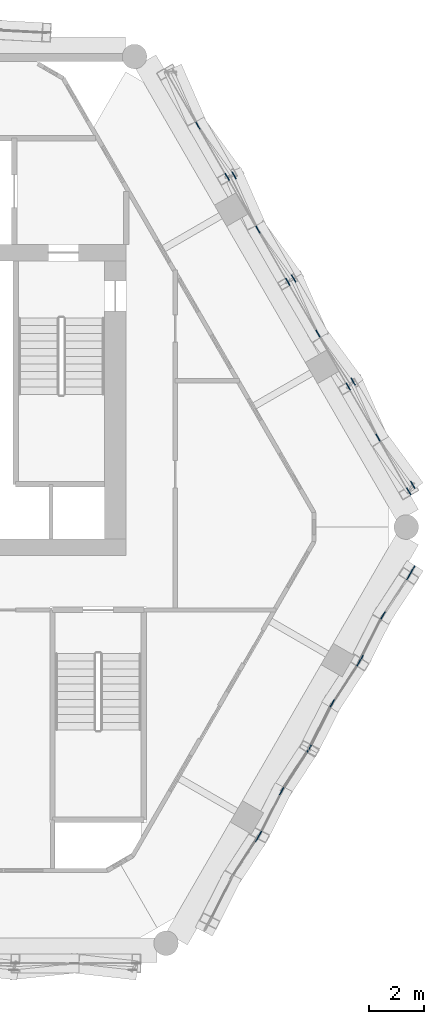
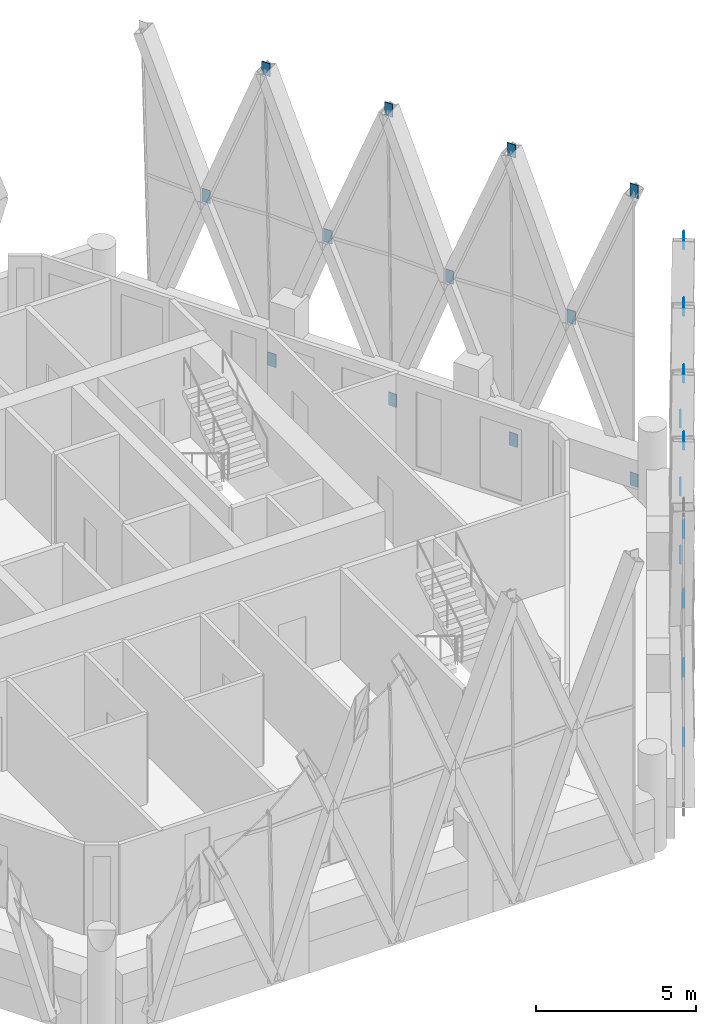
# One storey, part 20 of 22: 23 discrete accessories.
"""IFC4 building model written with IfcOpenShell, lengths in metres."""

from ifc_helpers import new_model, si_unit, direction, frame, origin, origin_2d, place, context, subcontext, project, spatial, rectangle, extrude, material, layer, layer_set, type_object, element, save


model = new_model("IFC4")

# Units and contexts
model_context = context("Model", 3, precision=1e-05, world=origin(), true_north=direction((0.0, 1.0)))
body_context = subcontext(model_context, "Body", "Model", "MODEL_VIEW")
ifc_project = project(units=[si_unit("LENGTHUNIT", "METRE"), si_unit("AREAUNIT", "SQUARE_METRE"), si_unit("VOLUMEUNIT", "CUBIC_METRE"), si_unit("PLANEANGLEUNIT", "RADIAN"), si_unit("MASSUNIT", "GRAM", prefix="KILO")], contexts=[model_context])

# Site, building, storey
site_placement = place(None, origin())
site = spatial("IfcSite", under=ifc_project, at=site_placement, CompositionType="ELEMENT")
building_placement = place(site_placement, origin())
building = spatial("IfcBuilding", under=site, at=building_placement, Name="Ostrander Bayou Hotel Tower", CompositionType="ELEMENT")
storey_placement = place(building_placement, frame((0.0, 0.0, 245.0)))
storey = spatial("IfcBuildingStorey", under=building, at=storey_placement, Name="L60", CompositionType="ELEMENT", Elevation=245.0)

# Discrete accessories
ifc_material = material(Name="Steel ASTM A572 Gr 50", Category="steel")
ifc_layer = layer(ifc_material, 0.030029296875)
ifc_layer_set = layer_set([ifc_layer], Name="GP1 gusset plate 30 mm")
discrete_accessory_type = type_object("IfcDiscreteAccessoryType", Name="GP1 gusset plate 30 mm", PredefinedType="BRACKET", material=ifc_layer_set)
for number, where, z_axis, x_axis, name in (
    (1, (13.320068359375, -12.069091796875, -0.85009765625), (0.0, 0.0, 1.0), (0.5, 0.866025403784, 0.0), "GP1 gusset plate lat 430"),
    (2, (13.390869140625, -11.9462890625, 10.39990234375), (0.0, 0.0, 1.0), (0.5, 0.866025403784, 0.0), "GP1 gusset plate lat 431"),
    (3, (14.19970703125, -10.3466796875, 4.77490234375), (0.0, 0.0, 1.0), (0.5, 0.866025403784, 0.0), "GP1 gusset plate lat 432"),
    (4, (15.216064453125, -8.784912109375, -0.85009765625), (0.0, 0.0, 1.0), (0.5, 0.866025403784, 0.0), "GP1 gusset plate lat 433"),
    (5, (15.216064453125, -8.784912109375, 10.39990234375), (0.0, 0.0, 1.0), (0.5, 0.866025403784, 0.0), "GP1 gusset plate lat 434"),
    (6, (16.060302734375, -7.1240234375, 4.77490234375), (0.0, 0.0, 1.0), (0.5, 0.866025403784, 0.0), "GP1 gusset plate lat 435"),
    (7, (17.112060546875, -5.5009765625, -0.85009765625), (0.0, 0.0, 1.0), (0.5, 0.866025403784, 0.0), "GP1 gusset plate lat 436"),
    (8, (17.041259765625, -5.623779296875, 10.39990234375), (0.0, 0.0, 1.0), (0.5, 0.866025403784, 0.0), "GP1 gusset plate lat 437"),
    (9, (17.9208984375, -3.9013671875, 4.77490234375), (0.0, 0.0, 1.0), (0.5, 0.866025403784, 0.0), "GP1 gusset plate lat 438"),
    (10, (19.008056640625, -2.217041015625, -0.85009765625), (0.0, 0.0, 1.0), (0.5, 0.866025403784, 0.0), "GP1 gusset plate lat 439"),
    (11, (18.866455078125, -2.46240234375, 10.39990234375), (0.0, 0.0, 1.0), (0.5, 0.866025403784, 0.0), "GP1 gusset plate lat 440"),
    (12, (17.737060546875, 2.61279296875, 4.77490234375), (0.0, 0.0, 1.0), (-0.5, 0.866025403784, 0.0), "GP1 gusset plate lat 441"),
    (13, (19.008056640625, 0.885986328125, -0.85009765625), (0.0, 0.0, 1.0), (-0.5, 0.866025403784, 0.0), "GP1 gusset plate lat 442"),
    (14, (18.866455078125, 0.640380859375, 10.39990234375), (0.0, 0.0, 1.0), (-0.5, 0.866025403784, 0.0), "GP1 gusset plate lat 443"),
    (15, (16.823974609375, 4.669189453125, -0.85009765625), (0.0, 0.0, 1.0), (-0.5, 0.866025403784, 0.0), "GP1 gusset plate lat 444"),
    (16, (16.646728515625, 4.485107421875, 10.39990234375), (0.0, 0.0, 1.0), (-0.5, 0.866025403784, 0.0), "GP1 gusset plate lat 445"),
    (17, (15.53515625, 6.4267578125, 4.77490234375), (0.0, 0.0, 1.0), (-0.5, 0.866025403784, 0.0), "GP1 gusset plate lat 446"),
    (18, (14.6396484375, 8.4521484375, -0.85009765625), (0.0, 0.0, 1.0), (-0.5, 0.866025403784, 0.0), "GP1 gusset plate lat 447"),
    (19, (14.427001953125, 8.32958984375, 10.39990234375), (0.0, 0.0, 1.0), (-0.5, 0.866025403784, 0.0), "GP1 gusset plate lat 448"),
    (20, (13.333251953125, 10.240478515625, 4.77490234375), (0.0, 0.0, 1.0), (-0.5, 0.866025403784, 0.0), "GP1 gusset plate lat 449"),
    (21, (12.45556640625, 12.2353515625, -0.85009765625), (0.0, 0.0, 1.0), (-0.5, 0.866025403784, 0.0), "GP1 gusset plate lat 450"),
    (22, (12.20751953125, 12.174072265625, 10.39990234375), (0.0, 0.0, 1.0), (-0.5, 0.866025403784, 0.0), "GP1 gusset plate lat 451"),
    (23, (11.13134765625, 14.054443359375, 4.77490234375), (0.0, 0.0, 1.0), (-0.5, 0.866025403784, 0.0), "GP1 gusset plate lat 452"),
):
    element("IfcDiscreteAccessory", number, at=place(storey_placement, frame(where, z_axis=z_axis, x_axis=x_axis)), inside=storey, type_object=discrete_accessory_type, Name=name, PredefinedType="BRACKET", context=body_context, shape_type="SweptSolid", body=[
        extrude(rectangle(XDim=0.300048828125, YDim=0.030029296875, at=origin_2d()), origin(), (0.0, 0.0, 1.0), 0.5),
    ])

save(model, "model.ifc")
